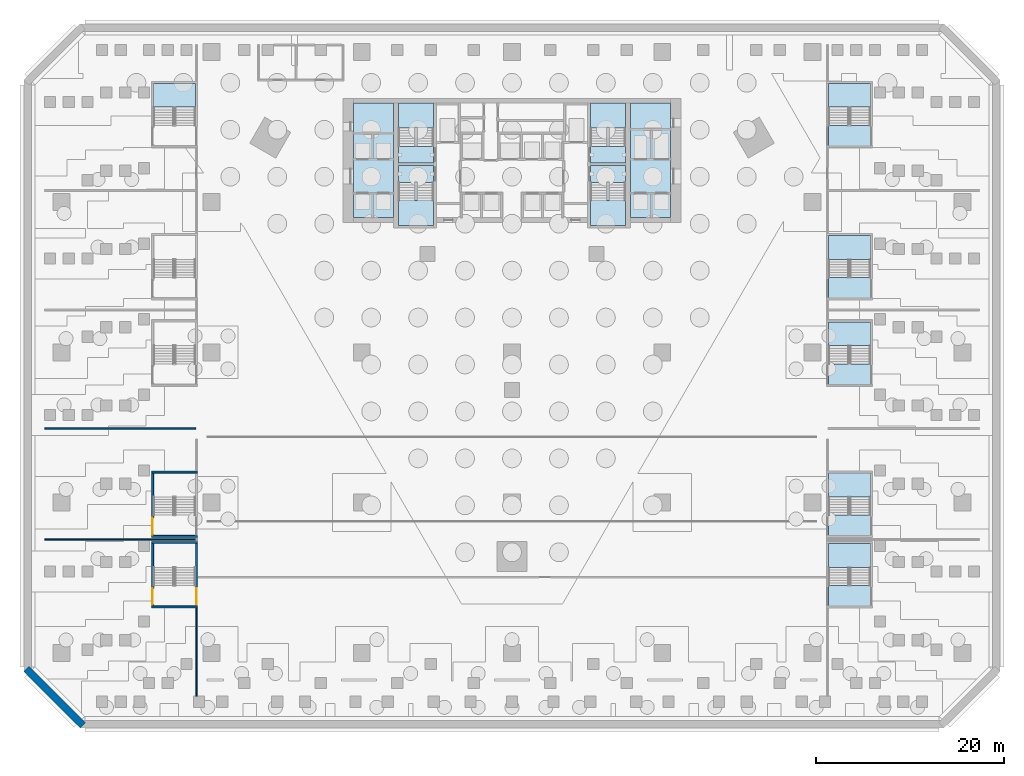
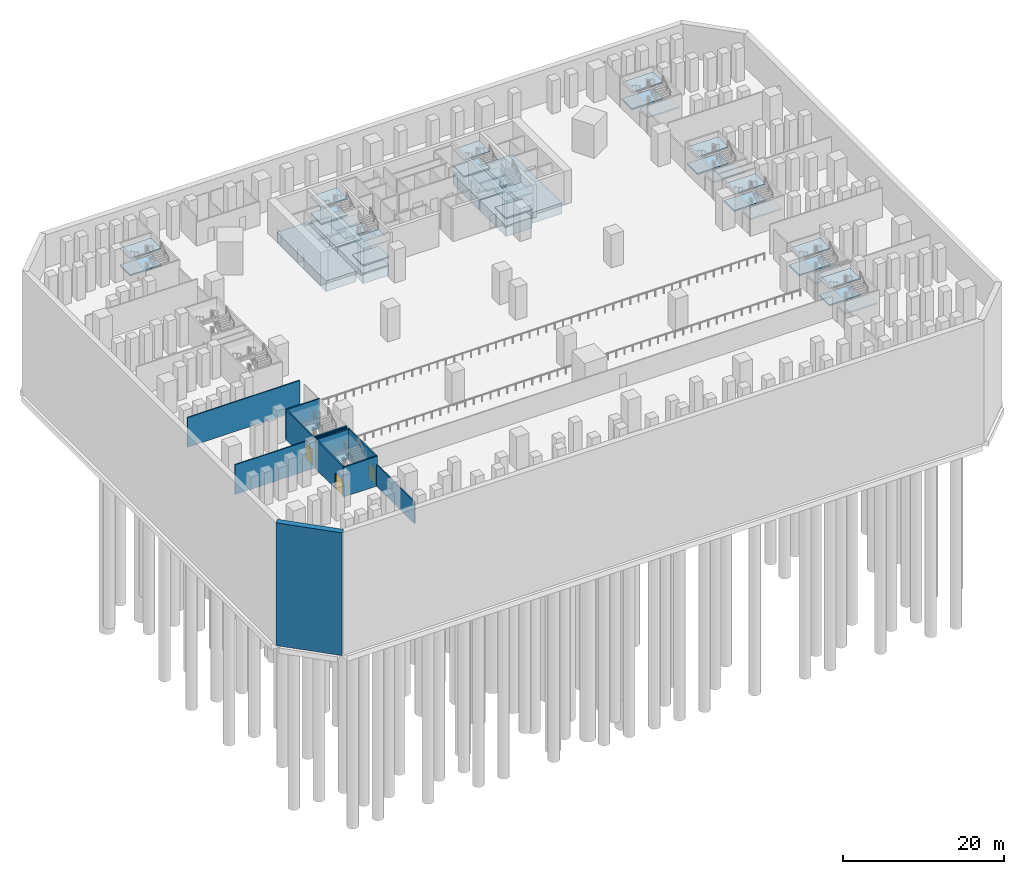
# One storey, part 4 of 27: 35 slabs, 11 walls, 3 doors, 3 openings, 10 elements without a shape of their own.
"""IFC4 building model written with IfcOpenShell, lengths in metres."""

from ifc_helpers import new_model, si_unit, direction, frame, frame_2d, origin, place, context, subcontext, project, spatial, polyline, rectangle, outline, extrude, material, layer, layer_set, type_object, element, fill, aggregate, save


model = new_model("IFC4")

# Units and contexts
model_context = context("Model", 3, precision=1e-05, world=origin(), true_north=direction((0.0, 1.0)))
body_context = subcontext(model_context, "Body", "Model", "MODEL_VIEW")
ifc_project = project(units=[si_unit("LENGTHUNIT", "METRE"), si_unit("AREAUNIT", "SQUARE_METRE"), si_unit("VOLUMEUNIT", "CUBIC_METRE"), si_unit("PLANEANGLEUNIT", "RADIAN"), si_unit("MASSUNIT", "GRAM", prefix="KILO")], contexts=[model_context])

# Site, building, storey
site_placement = place(None, origin())
site = spatial("IfcSite", under=ifc_project, at=site_placement, CompositionType="ELEMENT")
building_placement = place(site_placement, origin())
building = spatial("IfcBuilding", under=site, at=building_placement, Name="Calabash Gate Tower", CompositionType="ELEMENT")
storey_placement = place(building_placement, frame((0.0, 0.0, -10.0)))
storey = spatial("IfcBuildingStorey", under=building, at=storey_placement, Name="B2", CompositionType="ELEMENT", Elevation=-10.0)

# Slabs
ifc_material_1 = material(Name="Concrete C40/50", Category="concrete")
ifc_layer_1 = layer(ifc_material_1, 1.60009765625)
ifc_layer_set_1 = layer_set([ifc_layer_1], Name="Base slab 1600 Concrete C40/50")
slab_type_1 = type_object("IfcSlabType", Name="Base slab 1600 Concrete C40/50", PredefinedType="BASESLAB", material=ifc_layer_set_1)
slab_1_placement = place(storey_placement, frame((0.0, 0.0, -1.60009765625)))
element("IfcSlab", 1, at=slab_1_placement, inside=storey, type_object=slab_type_1, Name="Base slab B2", PredefinedType="BASESLAB", context=body_context, shape_type="SweptSolid", body=[
    extrude(outline(polyline([(-16.89990234375, 18.552490234375), (-12.60009765625, 18.552490234375), (-12.60009765625, 6.3525390625), (-16.89990234375, 6.3525390625), (-16.89990234375, 18.552490234375)])), origin(), (0.0, 0.0, 1.0), 1.60009765625),
])
slab_2_placement = place(storey_placement, frame((0.0, 0.0, -1.60009765625)))
element("IfcSlab", 2, at=slab_2_placement, inside=storey, type_object=slab_type_1, Name="Base slab B2", PredefinedType="BASESLAB", context=body_context, shape_type="SweptSolid", body=[
    extrude(outline(polyline([(-12.10009765625, 5.502685546875), (-12.10009765625, 11.902587890625), (-8.35009765625, 11.902587890625), (-8.35009765625, 5.502685546875), (-12.10009765625, 5.502685546875)])), origin(), (0.0, 0.0, 1.0), 1.60009765625),
])
slab_3_placement = place(storey_placement, frame((0.0, 0.0, -1.60009765625)))
element("IfcSlab", 3, at=slab_3_placement, inside=storey, type_object=slab_type_1, Name="Base slab B2", PredefinedType="BASESLAB", context=body_context, shape_type="SweptSolid", body=[
    extrude(outline(polyline([(-8.35009765625, 18.552490234375), (-8.35009765625, 12.152587890625), (-12.10009765625, 12.152587890625), (-12.10009765625, 18.552490234375), (-8.35009765625, 18.552490234375)])), origin(), (0.0, 0.0, 1.0), 1.60009765625),
])
slab_4_placement = place(storey_placement, frame((0.0, 0.0, -1.60009765625)))
element("IfcSlab", 4, at=slab_4_placement, inside=storey, type_object=slab_type_1, Name="Base slab B2", PredefinedType="BASESLAB", context=body_context, shape_type="SweptSolid", body=[
    extrude(outline(polyline([(8.35009765625, 5.502685546875), (8.35009765625, 11.902587890625), (12.10009765625, 11.902587890625), (12.10009765625, 5.502685546875), (8.35009765625, 5.502685546875)])), origin(), (0.0, 0.0, 1.0), 1.60009765625),
])
slab_5_placement = place(storey_placement, frame((0.0, 0.0, -1.60009765625)))
element("IfcSlab", 5, at=slab_5_placement, inside=storey, type_object=slab_type_1, Name="Base slab B2", PredefinedType="BASESLAB", context=body_context, shape_type="SweptSolid", body=[
    extrude(outline(polyline([(12.10009765625, 18.552490234375), (12.10009765625, 12.152587890625), (8.35009765625, 12.152587890625), (8.35009765625, 18.552490234375), (12.10009765625, 18.552490234375)])), origin(), (0.0, 0.0, 1.0), 1.60009765625),
])
slab_6_placement = place(storey_placement, frame((0.0, 0.0, -1.60009765625)))
element("IfcSlab", 6, at=slab_6_placement, inside=storey, type_object=slab_type_1, Name="Base slab B2", PredefinedType="BASESLAB", context=body_context, shape_type="SweptSolid", body=[
    extrude(outline(polyline([(12.60009765625, 18.552490234375), (16.89990234375, 18.552490234375), (16.89990234375, 6.3525390625), (12.60009765625, 6.3525390625), (12.60009765625, 18.552490234375)])), origin(), (0.0, 0.0, 1.0), 1.60009765625),
])

# Stair, slabs
ifc_material_2 = material(Name="Concrete C40/50", Category="concrete")
stair_type_1 = type_object("IfcStairType", Name="Exit stair 32 risers of 156.2 mm", PredefinedType="HALF_TURN_STAIR", material=ifc_material_2)
stair_1_placement = place(storey_placement, origin())
stair_1 = element("IfcStair", 7, at=stair_1_placement, inside=storey, type_object=stair_type_1, Name="B2 Exit stair ST1", PredefinedType="HALF_TURN_STAIR")
ifc_material_3 = material(Name="Concrete C40/50", Category="concrete")
ifc_layer_2 = layer(ifc_material_3, 0.199951171875)
ifc_layer_set_2 = layer_set([ifc_layer_2], Name="Stair landing SL200")
slab_type_2 = type_object("IfcSlabType", Name="Stair landing SL200", PredefinedType="LANDING", material=ifc_layer_set_2)
slab_7_placement = place(storey_placement, frame((0.0, 0.0, 1.050048828125)))
slab_7 = element("IfcSlab", 8, at=slab_7_placement, type_object=slab_type_2, Name="ST1 landing 1", PredefinedType="LANDING", context=body_context, shape_type="SweptSolid", body=[
    extrude(outline(polyline([(-8.35009765625, 15.905517578125), (-8.35009765625, 18.552490234375), (-12.10009765625, 18.552490234375), (-12.10009765625, 15.905517578125), (-8.35009765625, 15.905517578125)])), origin(), (0.0, 0.0, 1.0), 0.199951171875),
])
slab_8_placement = place(storey_placement, frame((0.0, 0.0, 2.300048828125)))
slab_8 = element("IfcSlab", 9, at=slab_8_placement, type_object=slab_type_2, Name="ST1 landing 2", PredefinedType="LANDING", context=body_context, shape_type="SweptSolid", body=[
    extrude(outline(polyline([(-8.35009765625, 12.152587890625), (-8.35009765625, 13.95263671875), (-12.10009765625, 13.95263671875), (-12.10009765625, 12.152587890625), (-8.35009765625, 12.152587890625)])), origin(), (0.0, 0.0, 1.0), 0.199951171875),
])
slab_9_placement = place(storey_placement, frame((0.0, 0.0, 3.550048828125)))
slab_9 = element("IfcSlab", 10, at=slab_9_placement, type_object=slab_type_2, Name="ST1 landing 3", PredefinedType="LANDING", context=body_context, shape_type="SweptSolid", body=[
    extrude(outline(polyline([(-8.35009765625, 15.905517578125), (-8.35009765625, 18.552490234375), (-12.10009765625, 18.552490234375), (-12.10009765625, 15.905517578125), (-8.35009765625, 15.905517578125)])), origin(), (0.0, 0.0, 1.0), 0.199951171875),
])
aggregate(stair_1, [slab_7, slab_8, slab_9])

stair_2_placement = place(storey_placement, origin())
stair_2 = element("IfcStair", 11, at=stair_2_placement, inside=storey, type_object=stair_type_1, Name="B2 Exit stair ST2", PredefinedType="HALF_TURN_STAIR")
slab_10_placement = place(storey_placement, frame((0.0, 0.0, 1.050048828125)))
slab_10 = element("IfcSlab", 12, at=slab_10_placement, type_object=slab_type_2, Name="ST2 landing 1", PredefinedType="LANDING", context=body_context, shape_type="SweptSolid", body=[
    extrude(outline(polyline([(-12.10009765625, 8.149658203125), (-12.10009765625, 5.502685546875), (-8.35009765625, 5.502685546875), (-8.35009765625, 8.149658203125), (-12.10009765625, 8.149658203125)])), origin(), (0.0, 0.0, 1.0), 0.199951171875),
])
slab_11_placement = place(storey_placement, frame((0.0, 0.0, 2.300048828125)))
slab_11 = element("IfcSlab", 13, at=slab_11_placement, type_object=slab_type_2, Name="ST2 landing 2", PredefinedType="LANDING", context=body_context, shape_type="SweptSolid", body=[
    extrude(outline(polyline([(-12.10009765625, 11.902587890625), (-12.10009765625, 10.1025390625), (-8.35009765625, 10.1025390625), (-8.35009765625, 11.902587890625), (-12.10009765625, 11.902587890625)])), origin(), (0.0, 0.0, 1.0), 0.199951171875),
])
slab_12_placement = place(storey_placement, frame((0.0, 0.0, 3.550048828125)))
slab_12 = element("IfcSlab", 14, at=slab_12_placement, type_object=slab_type_2, Name="ST2 landing 3", PredefinedType="LANDING", context=body_context, shape_type="SweptSolid", body=[
    extrude(outline(polyline([(-12.10009765625, 8.149658203125), (-12.10009765625, 5.502685546875), (-8.35009765625, 5.502685546875), (-8.35009765625, 8.149658203125), (-12.10009765625, 8.149658203125)])), origin(), (0.0, 0.0, 1.0), 0.199951171875),
])
aggregate(stair_2, [slab_10, slab_11, slab_12])

stair_3_placement = place(storey_placement, origin())
stair_3 = element("IfcStair", 15, at=stair_3_placement, inside=storey, type_object=stair_type_1, Name="B2 Exit stair ST3", PredefinedType="HALF_TURN_STAIR")
slab_13_placement = place(storey_placement, frame((0.0, 0.0, 1.050048828125)))
slab_13 = element("IfcSlab", 16, at=slab_13_placement, type_object=slab_type_2, Name="ST3 landing 1", PredefinedType="LANDING", context=body_context, shape_type="SweptSolid", body=[
    extrude(outline(polyline([(12.10009765625, 15.905517578125), (12.10009765625, 18.552490234375), (8.35009765625, 18.552490234375), (8.35009765625, 15.905517578125), (12.10009765625, 15.905517578125)])), origin(), (0.0, 0.0, 1.0), 0.199951171875),
])
slab_14_placement = place(storey_placement, frame((0.0, 0.0, 2.300048828125)))
slab_14 = element("IfcSlab", 17, at=slab_14_placement, type_object=slab_type_2, Name="ST3 landing 2", PredefinedType="LANDING", context=body_context, shape_type="SweptSolid", body=[
    extrude(outline(polyline([(12.10009765625, 12.152587890625), (12.10009765625, 13.95263671875), (8.35009765625, 13.95263671875), (8.35009765625, 12.152587890625), (12.10009765625, 12.152587890625)])), origin(), (0.0, 0.0, 1.0), 0.199951171875),
])
slab_15_placement = place(storey_placement, frame((0.0, 0.0, 3.550048828125)))
slab_15 = element("IfcSlab", 18, at=slab_15_placement, type_object=slab_type_2, Name="ST3 landing 3", PredefinedType="LANDING", context=body_context, shape_type="SweptSolid", body=[
    extrude(outline(polyline([(12.10009765625, 15.905517578125), (12.10009765625, 18.552490234375), (8.35009765625, 18.552490234375), (8.35009765625, 15.905517578125), (12.10009765625, 15.905517578125)])), origin(), (0.0, 0.0, 1.0), 0.199951171875),
])
aggregate(stair_3, [slab_13, slab_14, slab_15])

stair_4_placement = place(storey_placement, origin())
stair_4 = element("IfcStair", 19, at=stair_4_placement, inside=storey, type_object=stair_type_1, Name="B2 Exit stair ST4", PredefinedType="HALF_TURN_STAIR")
slab_16_placement = place(storey_placement, frame((0.0, 0.0, 1.050048828125)))
slab_16 = element("IfcSlab", 20, at=slab_16_placement, type_object=slab_type_2, Name="ST4 landing 1", PredefinedType="LANDING", context=body_context, shape_type="SweptSolid", body=[
    extrude(outline(polyline([(8.35009765625, 8.149658203125), (8.35009765625, 5.502685546875), (12.10009765625, 5.502685546875), (12.10009765625, 8.149658203125), (8.35009765625, 8.149658203125)])), origin(), (0.0, 0.0, 1.0), 0.199951171875),
])
slab_17_placement = place(storey_placement, frame((0.0, 0.0, 2.300048828125)))
slab_17 = element("IfcSlab", 21, at=slab_17_placement, type_object=slab_type_2, Name="ST4 landing 2", PredefinedType="LANDING", context=body_context, shape_type="SweptSolid", body=[
    extrude(outline(polyline([(8.35009765625, 11.902587890625), (8.35009765625, 10.1025390625), (12.10009765625, 10.1025390625), (12.10009765625, 11.902587890625), (8.35009765625, 11.902587890625)])), origin(), (0.0, 0.0, 1.0), 0.199951171875),
])
slab_18_placement = place(storey_placement, frame((0.0, 0.0, 3.550048828125)))
slab_18 = element("IfcSlab", 22, at=slab_18_placement, type_object=slab_type_2, Name="ST4 landing 3", PredefinedType="LANDING", context=body_context, shape_type="SweptSolid", body=[
    extrude(outline(polyline([(8.35009765625, 8.149658203125), (8.35009765625, 5.502685546875), (12.10009765625, 5.502685546875), (12.10009765625, 8.149658203125), (8.35009765625, 8.149658203125)])), origin(), (0.0, 0.0, 1.0), 0.199951171875),
])
aggregate(stair_4, [slab_16, slab_17, slab_18])

ifc_material_4 = material(Name="Concrete C40/50", Category="concrete")
stair_type_2 = type_object("IfcStairType", Name="Public stair 32 risers of 156.2 mm", PredefinedType="HALF_TURN_STAIR", material=ifc_material_4)
stair_5_placement = place(storey_placement, origin())
stair_5 = element("IfcStair", 23, at=stair_5_placement, inside=storey, type_object=stair_type_2, Name="B2 Public Stair PS5", PredefinedType="HALF_TURN_STAIR")
slab_19_placement = place(storey_placement, frame((0.0, 0.0, 1.050048828125)))
slab_19 = element("IfcSlab", 24, at=slab_19_placement, type_object=slab_type_2, Name="PS5 landing 1", PredefinedType="LANDING", context=body_context, shape_type="SweptSolid", body=[
    extrude(outline(polyline([(-33.699951171875, 18.113037109375), (-33.699951171875, 20.64990234375), (-38.169921875, 20.64990234375), (-38.169921875, 18.113037109375), (-33.699951171875, 18.113037109375)])), origin(), (0.0, 0.0, 1.0), 0.199951171875),
])
slab_20_placement = place(storey_placement, frame((0.0, 0.0, 3.550048828125)))
slab_20 = element("IfcSlab", 25, at=slab_20_placement, type_object=slab_type_2, Name="PS5 landing 3", PredefinedType="LANDING", context=body_context, shape_type="SweptSolid", body=[
    extrude(outline(polyline([(-33.699951171875, 18.113037109375), (-33.699951171875, 20.64990234375), (-38.169921875, 20.64990234375), (-38.169921875, 18.113037109375), (-33.699951171875, 18.113037109375)])), origin(), (0.0, 0.0, 1.0), 0.199951171875),
])
aggregate(stair_5, [slab_19, slab_20])

stair_6_placement = place(storey_placement, origin())
stair_6 = element("IfcStair", 26, at=stair_6_placement, inside=storey, type_object=stair_type_2, Name="B2 Public Stair PS6", PredefinedType="HALF_TURN_STAIR")
slab_21_placement = place(storey_placement, frame((0.0, 0.0, 1.050048828125)))
slab_21 = element("IfcSlab", 27, at=slab_21_placement, type_object=slab_type_2, Name="PS6 landing 1", PredefinedType="LANDING", context=body_context, shape_type="SweptSolid", body=[
    extrude(outline(polyline([(38.169921875, -30.886962890625), (38.169921875, -28.35009765625), (33.699951171875, -28.35009765625), (33.699951171875, -30.886962890625), (38.169921875, -30.886962890625)])), origin(), (0.0, 0.0, 1.0), 0.199951171875),
])
slab_22_placement = place(storey_placement, frame((0.0, 0.0, 2.300048828125)))
slab_22 = element("IfcSlab", 28, at=slab_22_placement, type_object=slab_type_2, Name="PS6 landing 2", PredefinedType="LANDING", context=body_context, shape_type="SweptSolid", body=[
    extrude(outline(polyline([(38.169921875, -35.0), (38.169921875, -32.840087890625), (33.699951171875, -32.840087890625), (33.699951171875, -35.0), (38.169921875, -35.0)])), origin(), (0.0, 0.0, 1.0), 0.199951171875),
])
slab_23_placement = place(storey_placement, frame((0.0, 0.0, 3.550048828125)))
slab_23 = element("IfcSlab", 29, at=slab_23_placement, type_object=slab_type_2, Name="PS6 landing 3", PredefinedType="LANDING", context=body_context, shape_type="SweptSolid", body=[
    extrude(outline(polyline([(38.169921875, -30.886962890625), (38.169921875, -28.35009765625), (33.699951171875, -28.35009765625), (33.699951171875, -30.886962890625), (38.169921875, -30.886962890625)])), origin(), (0.0, 0.0, 1.0), 0.199951171875),
])
aggregate(stair_6, [slab_21, slab_22, slab_23])

stair_7_placement = place(storey_placement, origin())
stair_7 = element("IfcStair", 30, at=stair_7_placement, inside=storey, type_object=stair_type_2, Name="B2 Public Stair PS7", PredefinedType="HALF_TURN_STAIR")
slab_24_placement = place(storey_placement, frame((0.0, 0.0, 1.050048828125)))
slab_24 = element("IfcSlab", 31, at=slab_24_placement, type_object=slab_type_2, Name="PS7 landing 1", PredefinedType="LANDING", context=body_context, shape_type="SweptSolid", body=[
    extrude(outline(polyline([(38.169921875, -23.386962890625), (38.169921875, -20.85009765625), (33.699951171875, -20.85009765625), (33.699951171875, -23.386962890625), (38.169921875, -23.386962890625)])), origin(), (0.0, 0.0, 1.0), 0.199951171875),
])
slab_25_placement = place(storey_placement, frame((0.0, 0.0, 2.300048828125)))
slab_25 = element("IfcSlab", 32, at=slab_25_placement, type_object=slab_type_2, Name="PS7 landing 2", PredefinedType="LANDING", context=body_context, shape_type="SweptSolid", body=[
    extrude(outline(polyline([(38.169921875, -27.5), (38.169921875, -25.340087890625), (33.699951171875, -25.340087890625), (33.699951171875, -27.5), (38.169921875, -27.5)])), origin(), (0.0, 0.0, 1.0), 0.199951171875),
])
slab_26_placement = place(storey_placement, frame((0.0, 0.0, 3.550048828125)))
slab_26 = element("IfcSlab", 33, at=slab_26_placement, type_object=slab_type_2, Name="PS7 landing 3", PredefinedType="LANDING", context=body_context, shape_type="SweptSolid", body=[
    extrude(outline(polyline([(38.169921875, -23.386962890625), (38.169921875, -20.85009765625), (33.699951171875, -20.85009765625), (33.699951171875, -23.386962890625), (38.169921875, -23.386962890625)])), origin(), (0.0, 0.0, 1.0), 0.199951171875),
])
aggregate(stair_7, [slab_24, slab_25, slab_26])

stair_8_placement = place(storey_placement, origin())
stair_8 = element("IfcStair", 34, at=stair_8_placement, inside=storey, type_object=stair_type_2, Name="B2 Public Stair PS8", PredefinedType="HALF_TURN_STAIR")
slab_27_placement = place(storey_placement, frame((0.0, 0.0, 1.050048828125)))
slab_27 = element("IfcSlab", 35, at=slab_27_placement, type_object=slab_type_2, Name="PS8 landing 1", PredefinedType="LANDING", context=body_context, shape_type="SweptSolid", body=[
    extrude(outline(polyline([(38.169921875, -7.287109375), (38.169921875, -4.75), (33.699951171875, -4.75), (33.699951171875, -7.287109375), (38.169921875, -7.287109375)])), origin(), (0.0, 0.0, 1.0), 0.199951171875),
])
slab_28_placement = place(storey_placement, frame((0.0, 0.0, 2.300048828125)))
slab_28 = element("IfcSlab", 36, at=slab_28_placement, type_object=slab_type_2, Name="PS8 landing 2", PredefinedType="LANDING", context=body_context, shape_type="SweptSolid", body=[
    extrude(outline(polyline([(38.169921875, -11.39990234375), (38.169921875, -9.239990234375), (33.699951171875, -9.239990234375), (33.699951171875, -11.39990234375), (38.169921875, -11.39990234375)])), origin(), (0.0, 0.0, 1.0), 0.199951171875),
])
slab_29_placement = place(storey_placement, frame((0.0, 0.0, 3.550048828125)))
slab_29 = element("IfcSlab", 37, at=slab_29_placement, type_object=slab_type_2, Name="PS8 landing 3", PredefinedType="LANDING", context=body_context, shape_type="SweptSolid", body=[
    extrude(outline(polyline([(38.169921875, -7.287109375), (38.169921875, -4.75), (33.699951171875, -4.75), (33.699951171875, -7.287109375), (38.169921875, -7.287109375)])), origin(), (0.0, 0.0, 1.0), 0.199951171875),
])
aggregate(stair_8, [slab_27, slab_28, slab_29])

stair_9_placement = place(storey_placement, origin())
stair_9 = element("IfcStair", 38, at=stair_9_placement, inside=storey, type_object=stair_type_2, Name="B2 Public Stair PS9", PredefinedType="HALF_TURN_STAIR")
slab_30_placement = place(storey_placement, frame((0.0, 0.0, 1.050048828125)))
slab_30 = element("IfcSlab", 39, at=slab_30_placement, type_object=slab_type_2, Name="PS9 landing 1", PredefinedType="LANDING", context=body_context, shape_type="SweptSolid", body=[
    extrude(outline(polyline([(38.169921875, 1.9130859375), (38.169921875, 4.449951171875), (33.699951171875, 4.449951171875), (33.699951171875, 1.9130859375), (38.169921875, 1.9130859375)])), origin(), (0.0, 0.0, 1.0), 0.199951171875),
])
slab_31_placement = place(storey_placement, frame((0.0, 0.0, 2.300048828125)))
slab_31 = element("IfcSlab", 40, at=slab_31_placement, type_object=slab_type_2, Name="PS9 landing 2", PredefinedType="LANDING", context=body_context, shape_type="SweptSolid", body=[
    extrude(outline(polyline([(38.169921875, -2.199951171875), (38.169921875, -0.0400390625), (33.699951171875, -0.0400390625), (33.699951171875, -2.199951171875), (38.169921875, -2.199951171875)])), origin(), (0.0, 0.0, 1.0), 0.199951171875),
])
slab_32_placement = place(storey_placement, frame((0.0, 0.0, 3.550048828125)))
slab_32 = element("IfcSlab", 41, at=slab_32_placement, type_object=slab_type_2, Name="PS9 landing 3", PredefinedType="LANDING", context=body_context, shape_type="SweptSolid", body=[
    extrude(outline(polyline([(38.169921875, 1.9130859375), (38.169921875, 4.449951171875), (33.699951171875, 4.449951171875), (33.699951171875, 1.9130859375), (38.169921875, 1.9130859375)])), origin(), (0.0, 0.0, 1.0), 0.199951171875),
])
aggregate(stair_9, [slab_30, slab_31, slab_32])

stair_10_placement = place(storey_placement, origin())
stair_10 = element("IfcStair", 42, at=stair_10_placement, inside=storey, type_object=stair_type_2, Name="B2 Public Stair PS10", PredefinedType="HALF_TURN_STAIR")
slab_33_placement = place(storey_placement, frame((0.0, 0.0, 1.050048828125)))
slab_33 = element("IfcSlab", 43, at=slab_33_placement, type_object=slab_type_2, Name="PS10 landing 1", PredefinedType="LANDING", context=body_context, shape_type="SweptSolid", body=[
    extrude(outline(polyline([(38.169921875, 18.113037109375), (38.169921875, 20.64990234375), (33.699951171875, 20.64990234375), (33.699951171875, 18.113037109375), (38.169921875, 18.113037109375)])), origin(), (0.0, 0.0, 1.0), 0.199951171875),
])
slab_34_placement = place(storey_placement, frame((0.0, 0.0, 2.300048828125)))
slab_34 = element("IfcSlab", 44, at=slab_34_placement, type_object=slab_type_2, Name="PS10 landing 2", PredefinedType="LANDING", context=body_context, shape_type="SweptSolid", body=[
    extrude(outline(polyline([(38.169921875, 14.0), (38.169921875, 16.159912109375), (33.699951171875, 16.159912109375), (33.699951171875, 14.0), (38.169921875, 14.0)])), origin(), (0.0, 0.0, 1.0), 0.199951171875),
])
slab_35_placement = place(storey_placement, frame((0.0, 0.0, 3.550048828125)))
slab_35 = element("IfcSlab", 45, at=slab_35_placement, type_object=slab_type_2, Name="PS10 landing 3", PredefinedType="LANDING", context=body_context, shape_type="SweptSolid", body=[
    extrude(outline(polyline([(38.169921875, 18.113037109375), (38.169921875, 20.64990234375), (33.699951171875, 20.64990234375), (33.699951171875, 18.113037109375), (38.169921875, 18.113037109375)])), origin(), (0.0, 0.0, 1.0), 0.199951171875),
])
aggregate(stair_10, [slab_33, slab_34, slab_35])

# Walls
ifc_material_5 = material(Name="Concrete C60/75", Category="concrete")
ifc_layer_3 = layer(ifc_material_5, 0.800048828125)
ifc_layer_set_3 = layer_set([ifc_layer_3], Name="Diaphragm wall 800 Concrete C60/75")
wall_type_1 = type_object("IfcWallType", Name="Diaphragm wall 800 Concrete C60/75", PredefinedType="SHEAR", material=ifc_layer_set_3)
wall_1_placement = place(storey_placement, frame((-51.717041015625, -41.717041015625, -13.60009765625), z_axis=(0.0, 0.0, 1.0), x_axis=(0.707106781187, -0.707106781187, 0.0)))
element("IfcWall", 46, at=wall_1_placement, inside=storey, type_object=wall_type_1, Name="Diaphragm wall B2", PredefinedType="SHEAR", context=body_context, shape_type="SweptSolid", body=[
    extrude(rectangle(XDim=8.4853515625, YDim=0.800048828125, at=frame_2d((4.24267578125, 0.0))), origin(), (0.0, 0.0, 1.0), 18.60009765625),
])
ifc_material_6 = material(Name="Gypsum board on steel studs, mineral wool", Category="steel")
ifc_layer_4 = layer(ifc_material_6, 0.14990234375)
ifc_layer_set_4 = layer_set([ifc_layer_4], Name="Partition 150 gypsum board")
wall_type_2 = type_object("IfcWallType", Name="Partition 150 gypsum board", PredefinedType="PARTITIONING", material=ifc_layer_set_4)
wall_2_placement = place(storey_placement, frame((-33.60009765625, -44.60009765625, 0.0), z_axis=(0.0, 0.0, 1.0), x_axis=(0.0, 1.0, 0.0)))
element("IfcWall", 47, at=wall_2_placement, inside=storey, type_object=wall_type_2, Name="Partition", PredefinedType="PARTITIONING", context=body_context, shape_type="SweptSolid", body=[
    extrude(rectangle(XDim=9.360107421875, YDim=0.14990234375, at=frame_2d((4.68017578125, 0.0))), origin(), (0.0, 0.0, 1.0), 3.300048828125),
])
for number, where, z_axis, x_axis, name in (
    (48, (-49.77490234375, -27.925048828125, 0.0), (0.0, 0.0, 1.0), (1.0, 0.0, 0.0), "Partition"),
    (49, (-49.77490234375, -16.125, 0.0), (0.0, 0.0, 1.0), (1.0, 0.0, 0.0), "Partition"),
):
    element("IfcWall", number, at=place(storey_placement, frame(where, z_axis=z_axis, x_axis=x_axis)), inside=storey, type_object=wall_type_2, Name=name, PredefinedType="PARTITIONING", context=body_context, shape_type="SweptSolid", body=[
        extrude(rectangle(XDim=16.099853515625, YDim=0.14990234375, at=frame_2d((8.0498046875, 0.0))), origin(), (0.0, 0.0, 1.0), 4.5),
    ])
ifc_material_7 = material(Name="Concrete C40/50", Category="concrete")
ifc_layer_5 = layer(ifc_material_7, 0.199951171875)
ifc_layer_set_5 = layer_set([ifc_layer_5], Name="Stair wall 200 Concrete C40/50")
wall_type_3 = type_object("IfcWallType", Name="Stair wall 200 Concrete C40/50", PredefinedType="SOLIDWALL", material=ifc_layer_set_5)
for number, where, z_axis, x_axis, name in (
    (50, (-38.3701171875, -35.10009765625, 0.0), (0.0, 0.0, 1.0), (1.0, 0.0, 0.0), "Stair wall"),
    (51, (-38.3701171875, -28.25, 0.0), (0.0, 0.0, 1.0), (1.0, 0.0, 0.0), "Stair wall"),
):
    element("IfcWall", number, at=place(storey_placement, frame(where, z_axis=z_axis, x_axis=x_axis)), inside=storey, type_object=wall_type_3, Name=name, PredefinedType="SOLIDWALL", context=body_context, shape_type="SweptSolid", body=[
        extrude(rectangle(XDim=4.8701171875, YDim=0.199951171875, at=frame_2d((2.43505859375, 0.0))), origin(), (0.0, 0.0, 1.0), 4.5),
    ])

# Wall, opening, door
wall_3_placement = place(storey_placement, frame((-38.27001953125, -35.0, 0.0), z_axis=(0.0, 0.0, 1.0), x_axis=(0.0, 1.0, 0.0)))
wall_3 = element("IfcWall", 52, at=wall_3_placement, inside=storey, type_object=wall_type_3, Name="Stair wall", PredefinedType="SOLIDWALL", context=body_context, shape_type="SweptSolid", body=[
    extrude(rectangle(XDim=6.64990234375, YDim=0.199951171875, at=frame_2d((3.324951171875, 0.0))), origin(), (0.0, 0.0, 1.0), 4.5),
])
opening_1_placement = place(wall_3_placement, frame((0.10009765625, 0.0, 0.0)))
opening_1 = element("IfcOpeningElement", 53, at=opening_1_placement, cuts=wall_3, Name="Opening B2-019", PredefinedType="OPENING", context=body_context, shape_type="SweptSolid", body=[
    extrude(rectangle(XDim=1.800048828125, YDim=2.39990234375, at=frame_2d((0.89990234375, 1.199951171875))), frame((0.0, 0.10986328125, 0.0), z_axis=(0.0, -1.0, 0.0), x_axis=(1.0, 0.0, 0.0)), (0.0, 0.0, 1.0), 0.219970703125),
])
ifc_material_8 = material(Name="Steel fire door set with fire-resisting glazing", Category="steel")
door_type = type_object("IfcDoorType", Name="Double fire door D16 1800x2400 FD90", OperationType="DOUBLE_DOOR_SINGLE_SWING", PredefinedType="DOOR", material=ifc_material_8)
door_1_placement = place(opening_1_placement, origin())
door_1 = element("IfcDoor", 54, at=door_1_placement, inside=storey, type_object=door_type, Name="Exit stair door PS1", OperationType="DOUBLE_DOOR_SINGLE_SWING", OverallHeight=2.39990234375, OverallWidth=1.800048828125, PredefinedType="DOOR", context=body_context, shape_type="SweptSolid", body=[
    extrude(rectangle(XDim=1.800048828125, YDim=2.39990234375, at=frame_2d((0.89990234375, 1.199951171875))), frame((0.0, 0.02490234375, 0.0), z_axis=(0.0, -1.0, 0.0), x_axis=(1.0, 0.0, 0.0)), (0.0, 0.0, 1.0), 0.050048828125),
])
fill(opening_1, door_1)

wall_4_placement = place(storey_placement, frame((-33.60009765625, -35.0, 0.0), z_axis=(0.0, 0.0, 1.0), x_axis=(0.0, 1.0, 0.0)))
wall_4 = element("IfcWall", 55, at=wall_4_placement, inside=storey, type_object=wall_type_3, Name="Stair wall", PredefinedType="SOLIDWALL", context=body_context, shape_type="SweptSolid", body=[
    extrude(rectangle(XDim=6.64990234375, YDim=0.199951171875, at=frame_2d((3.324951171875, 0.0))), origin(), (0.0, 0.0, 1.0), 4.5),
])
opening_2_placement = place(wall_4_placement, frame((0.10009765625, 0.0, 0.0)))
opening_2 = element("IfcOpeningElement", 56, at=opening_2_placement, cuts=wall_4, Name="Opening B2-018", PredefinedType="OPENING", context=body_context, shape_type="SweptSolid", body=[
    extrude(rectangle(XDim=1.800048828125, YDim=2.39990234375, at=frame_2d((0.89990234375, 1.199951171875))), frame((0.0, 0.10986328125, 0.0), z_axis=(0.0, -1.0, 0.0), x_axis=(1.0, 0.0, 0.0)), (0.0, 0.0, 1.0), 0.219970703125),
])
door_2_placement = place(opening_2_placement, origin())
door_2 = element("IfcDoor", 57, at=door_2_placement, inside=storey, type_object=door_type, Name="Exit stair door PS1", OperationType="DOUBLE_DOOR_SINGLE_SWING", OverallHeight=2.39990234375, OverallWidth=1.800048828125, PredefinedType="DOOR", context=body_context, shape_type="SweptSolid", body=[
    extrude(rectangle(XDim=1.800048828125, YDim=2.39990234375, at=frame_2d((0.89990234375, 1.199951171875))), frame((0.0, 0.02490234375, 0.0), z_axis=(0.0, -1.0, 0.0), x_axis=(1.0, 0.0, 0.0)), (0.0, 0.0, 1.0), 0.050048828125),
])
fill(opening_2, door_2)

# Walls
for number, where, z_axis, x_axis, name in (
    (58, (-38.3701171875, -27.60009765625, 0.0), (0.0, 0.0, 1.0), (1.0, 0.0, 0.0), "Stair wall"),
    (59, (-38.3701171875, -20.75, 0.0), (0.0, 0.0, 1.0), (1.0, 0.0, 0.0), "Stair wall"),
):
    element("IfcWall", number, at=place(storey_placement, frame(where, z_axis=z_axis, x_axis=x_axis)), inside=storey, type_object=wall_type_3, Name=name, PredefinedType="SOLIDWALL", context=body_context, shape_type="SweptSolid", body=[
        extrude(rectangle(XDim=4.8701171875, YDim=0.199951171875, at=frame_2d((2.43505859375, 0.0))), origin(), (0.0, 0.0, 1.0), 4.5),
    ])

# Wall, opening, door
wall_5_placement = place(storey_placement, frame((-38.27001953125, -27.5, 0.0), z_axis=(0.0, 0.0, 1.0), x_axis=(0.0, 1.0, 0.0)))
wall_5 = element("IfcWall", 60, at=wall_5_placement, inside=storey, type_object=wall_type_3, Name="Stair wall", PredefinedType="SOLIDWALL", context=body_context, shape_type="SweptSolid", body=[
    extrude(rectangle(XDim=6.64990234375, YDim=0.199951171875, at=frame_2d((3.324951171875, 0.0))), origin(), (0.0, 0.0, 1.0), 4.5),
])
opening_3_placement = place(wall_5_placement, frame((0.10009765625, 0.0, 0.0)))
opening_3 = element("IfcOpeningElement", 61, at=opening_3_placement, cuts=wall_5, Name="Opening B2-021", PredefinedType="OPENING", context=body_context, shape_type="SweptSolid", body=[
    extrude(rectangle(XDim=1.800048828125, YDim=2.39990234375, at=frame_2d((0.89990234375, 1.199951171875))), frame((0.0, 0.10986328125, 0.0), z_axis=(0.0, -1.0, 0.0), x_axis=(1.0, 0.0, 0.0)), (0.0, 0.0, 1.0), 0.219970703125),
])
door_3_placement = place(opening_3_placement, origin())
door_3 = element("IfcDoor", 62, at=door_3_placement, inside=storey, type_object=door_type, Name="Exit stair door PS2", OperationType="DOUBLE_DOOR_SINGLE_SWING", OverallHeight=2.39990234375, OverallWidth=1.800048828125, PredefinedType="DOOR", context=body_context, shape_type="SweptSolid", body=[
    extrude(rectangle(XDim=1.800048828125, YDim=2.39990234375, at=frame_2d((0.89990234375, 1.199951171875))), frame((0.0, 0.02490234375, 0.0), z_axis=(0.0, -1.0, 0.0), x_axis=(1.0, 0.0, 0.0)), (0.0, 0.0, 1.0), 0.050048828125),
])
fill(opening_3, door_3)

save(model, "model.ifc")
